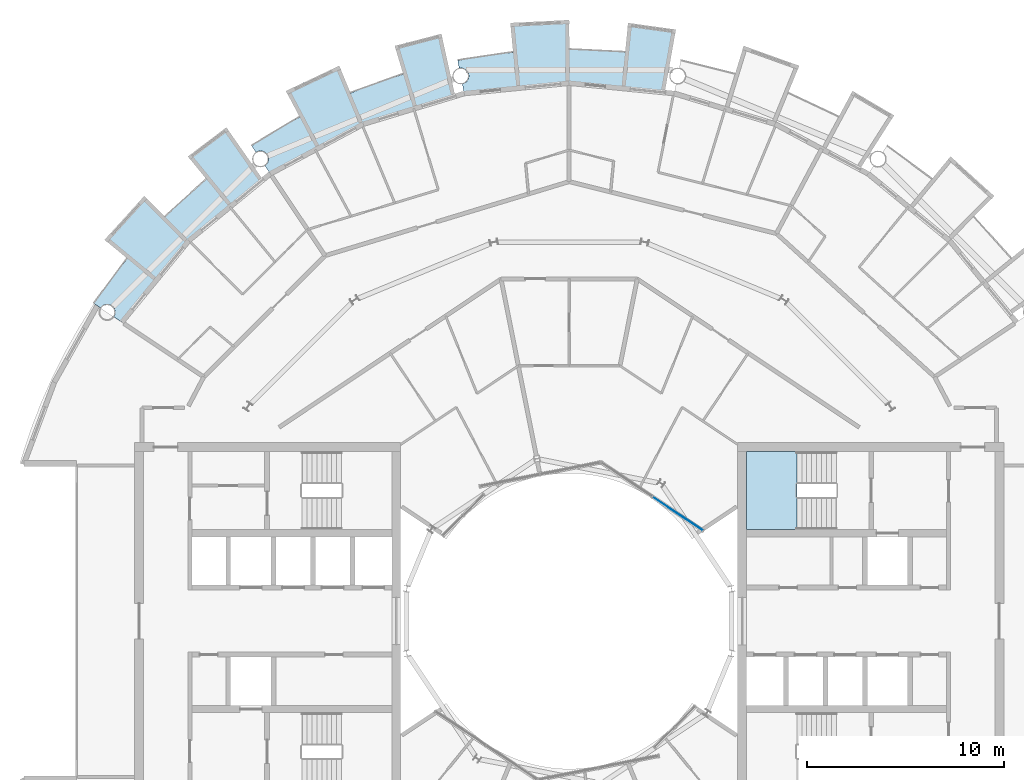
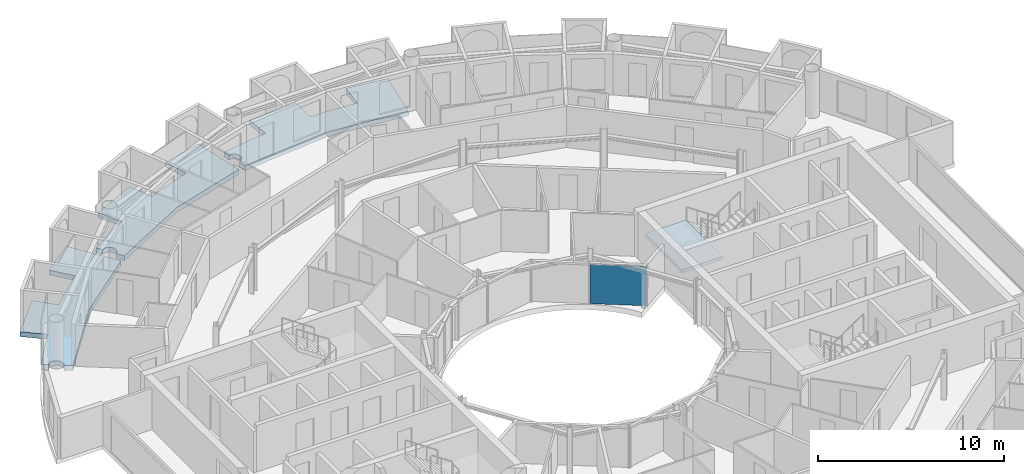
# One storey, part 13 of 27: 4 slabs, 1 plate, 2 elements without a shape of their own.
"""IFC4 building model written with IfcOpenShell, lengths in metres."""

import ifcopenshell
import ifcopenshell.guid

model = None  # the IFC model being written
_history = None  # IfcOwnerHistory: only IFC2X3 demands one
_inside = {}  # id of a spatial element -> (the spatial element, [elements in it])
_under = {}  # id of a project, library or spatial element -> (it, [spatial elements below it])
_declared = {}  # id of a project -> (the project, [libraries it declares])
_typed = {}  # id of a type object -> (the type object, [elements of that type])
_made_of = {}  # id of a material, layer set ... -> (it, [elements and type objects made of it])


def new_model(schema):
    """Start an empty IFC model of exactly this schema.

    Asked for "IFC4X3", IfcOpenShell would pick the latest addendum, in which some entities
    have other attributes; the version numbers below select the first issue.
    IFC2X3 requires an IfcOwnerHistory on every rooted entity: one is made here for all.
    """
    global model, _history
    if schema == "IFC4X3":
        model = ifcopenshell.file(schema_version=(4, 3, 0, 0))
    else:
        model = ifcopenshell.file(schema=schema)
    _inside.clear()
    _under.clear()
    _declared.clear()
    _typed.clear()
    _made_of.clear()
    _history = None
    if model.schema == "IFC2X3":
        org = make("IfcOrganization", Name="unknown")
        user = make(
            "IfcPersonAndOrganization",
            ThePerson=make("IfcPerson", FamilyName="unknown"),
            TheOrganization=org,
        )
        app = make(
            "IfcApplication",
            ApplicationDeveloper=org,
            Version="unknown",
            ApplicationFullName="unknown",
            ApplicationIdentifier="unknown",
        )
        _history = make(
            "IfcOwnerHistory",
            OwningUser=user,
            OwningApplication=app,
            ChangeAction="ADDED",
            CreationDate=0,
        )
    return model


def make(cls, **values):
    """One entity of the class cls with the attributes given. An attribute that is None is left unset."""
    return model.create_entity(
        cls, **{name: value for name, value in values.items() if value is not None}
    )


def rooted(cls, **values):
    """An entity with a GlobalId (a new one), such as an element, a storey or a relation."""
    return make(cls, GlobalId=ifcopenshell.guid.new(), OwnerHistory=_history, **values)


def si_unit(unit_type, name, prefix=None):
    """IfcSIUnit, for example si_unit("LENGTHUNIT", "METRE", prefix="MILLI")."""
    return make("IfcSIUnit", UnitType=unit_type, Prefix=prefix, Name=name)


def assignment(units):
    """IfcUnitAssignment: the units of a project."""
    return None if units is None else make("IfcUnitAssignment", Units=units)


def point(xyz):
    """IfcCartesianPoint."""
    return None if xyz is None else make("IfcCartesianPoint", Coordinates=xyz)


def direction(xyz):
    """IfcDirection."""
    return None if xyz is None else make("IfcDirection", DirectionRatios=xyz)


def frame(location, z_axis=None, x_axis=None):
    """IfcAxis2Placement3D, a coordinate frame: its origin and axes. An axis left out is left unset."""
    return make(
        "IfcAxis2Placement3D",
        Location=point(location),
        Axis=direction(z_axis),
        RefDirection=direction(x_axis),
    )


def frame_2d(location, x_axis=None):
    """IfcAxis2Placement2D, a coordinate frame in the plane: its origin and x axis."""
    return make(
        "IfcAxis2Placement2D", Location=point(location), RefDirection=direction(x_axis)
    )


def origin():
    """The frame at (0, 0, 0) with its axes left unset."""
    return frame((0.0, 0.0, 0.0))


def origin_2d():
    """The frame at (0, 0) in the plane with its x axis left unset."""
    return frame_2d((0.0, 0.0))


def place(relative_to, where):
    """IfcLocalPlacement: puts the frame where relative to a parent placement (None: the world)."""
    return make(
        "IfcLocalPlacement", PlacementRelTo=relative_to, RelativePlacement=where
    )


def context(
    kind, dimensions, precision=None, world=None, true_north=None, identifier=None
):
    """IfcGeometricRepresentationContext, for example the 3D "Model" context."""
    return make(
        "IfcGeometricRepresentationContext",
        ContextIdentifier=identifier,
        ContextType=kind,
        CoordinateSpaceDimension=dimensions,
        Precision=precision,
        WorldCoordinateSystem=world,
        TrueNorth=true_north,
    )


def subcontext(parent, identifier, kind, view, scale=None):
    """IfcGeometricRepresentationSubContext, for example "Body" below "Model"."""
    return make(
        "IfcGeometricRepresentationSubContext",
        ContextIdentifier=identifier,
        ContextType=kind,
        ParentContext=parent,
        TargetScale=scale,
        TargetView=view,
    )


def project(units=None, contexts=None):
    """IfcProject with its units and contexts."""
    return rooted(
        "IfcProject",
        Name="project",
        RepresentationContexts=contexts,
        UnitsInContext=assignment(units),
    )


def spatial(cls, under=None, at=None, **own):
    """A site, building, storey or space (cls), placed at a placement, below another one or the project."""
    s = rooted(cls, ObjectPlacement=at, **own)
    if under is not None:
        _under.setdefault(under.id(), (under, []))[1].append(s)
    return s


def polyline(points):
    """IfcPolyline through the points."""
    return make("IfcPolyline", Points=[point(p) for p in points])


def profile(cls, at=None, kind="AREA", **sizes):
    """A parametric profile (cls). Its sizes go by their IFC names, for example OverallWidth=200.0."""
    return make(cls, ProfileType=kind, Position=at, **sizes)


def rectangle(**sizes):
    """IfcRectangleProfileDef."""
    return profile("IfcRectangleProfileDef", **sizes)


def outline(outer, holes=None, kind="AREA"):
    """IfcArbitraryClosedProfileDef: a profile drawn as a closed curve; with holes, ...WithVoids."""
    if holes is None:
        return make("IfcArbitraryClosedProfileDef", ProfileType=kind, OuterCurve=outer)
    return make(
        "IfcArbitraryProfileDefWithVoids",
        ProfileType=kind,
        OuterCurve=outer,
        InnerCurves=holes,
    )


def extrude(swept, where, along, depth):
    """IfcExtrudedAreaSolid: the profile swept, set in the frame where, extruded along a direction by depth."""
    return make(
        "IfcExtrudedAreaSolid",
        SweptArea=swept,
        Position=where,
        ExtrudedDirection=direction(along),
        Depth=depth,
    )


def shape(context_of_items, identifier, shape_type, items):
    """IfcShapeRepresentation: the items that make up one representation, for example the "Body"."""
    return make(
        "IfcShapeRepresentation",
        ContextOfItems=context_of_items,
        RepresentationIdentifier=identifier,
        RepresentationType=shape_type,
        Items=items,
    )


def material(Name=None, Category=None):
    """IfcMaterial."""
    return make("IfcMaterial", Name=Name, Category=Category)


def layer(
    of_material, thickness, ventilated=None, Name=None, Category=None, Priority=None
):
    """IfcMaterialLayer: one layer of a wall or slab, of a material (None: an air gap)."""
    return make(
        "IfcMaterialLayer",
        Material=of_material,
        LayerThickness=thickness,
        IsVentilated=ventilated,
        Name=Name,
        Category=Category,
        Priority=Priority,
    )


def layer_set(layers, Name=None):
    """IfcMaterialLayerSet."""
    return make("IfcMaterialLayerSet", MaterialLayers=layers, LayerSetName=Name)


def made_of(thing, what):
    """Note that an element or type object is made of a material, layer set ...; save() writes the relation."""
    if what is not None:
        _made_of.setdefault(what.id(), (what, []))[1].append(thing)
    return thing


def type_object(cls, material=None, **own):
    """A type object (cls), such as IfcWallType, which elements share."""
    return made_of(rooted(cls, **own), material)


def element(
    cls,
    number,
    at=None,
    inside=None,
    cuts=None,
    type_object=None,
    material=None,
    context=None,
    identifier="Body",
    shape_type=None,
    held_by="IfcProductDefinitionShape",
    body=None,
    shapes=None,
    **own,
):
    """One element of the class cls, such as IfcWall. Its Tag is "e" and its number.

    at: its placement. inside: the storey or other place that contains it. cuts: it is an
    opening in that element (IfcRelVoidsElement). A single representation is given by context,
    identifier, shape_type and body (its items); several are given by shapes. held_by: the class
    of the entity that holds the representations. save() writes the other relations.
    """
    e = rooted(cls, Tag="e%d" % number, ObjectPlacement=at, **own)
    if body is not None:
        shapes = [shape(context, identifier, shape_type, body)]
    if shapes is not None:
        e.Representation = make(held_by, Representations=shapes)
    if inside is not None:
        _inside.setdefault(inside.id(), (inside, []))[1].append(e)
    if cuts is not None:
        rooted(
            "IfcRelVoidsElement", RelatingBuildingElement=cuts, RelatedOpeningElement=e
        )
    if type_object is not None:
        _typed.setdefault(type_object.id(), (type_object, []))[1].append(e)
    return made_of(e, material)


def aggregate(whole, parts):
    """IfcRelAggregates: a whole, such as a stair, and the parts it consists of."""
    return rooted("IfcRelAggregates", RelatingObject=whole, RelatedObjects=parts)


def save(model, path):
    """Write the relations noted so far, then the file.

    IfcRelAggregates (storeys below a building ...), IfcRelContainedInSpatialStructure (elements
    in a storey), IfcRelDefinesByType, IfcRelAssociatesMaterial and IfcRelDeclares: one each for
    every whole, place, type object, material and project.
    """
    for whole, parts in _under.values():
        aggregate(whole, parts)
    for where, things in _inside.values():
        rooted(
            "IfcRelContainedInSpatialStructure",
            RelatedElements=things,
            RelatingStructure=where,
        )
    for kind, things in _typed.values():
        rooted("IfcRelDefinesByType", RelatedObjects=things, RelatingType=kind)
    for what, things in _made_of.values():
        rooted("IfcRelAssociatesMaterial", RelatedObjects=things, RelatingMaterial=what)
    for by, libraries in _declared.values():
        rooted("IfcRelDeclares", RelatingContext=by, RelatedDefinitions=libraries)
    model.write(path)


model = new_model("IFC4")

# Units and contexts
model_context = context("Model", 3, precision=1e-05, world=origin(), true_north=direction((0.0, 1.0)))
body_context = subcontext(model_context, "Body", "Model", "MODEL_VIEW")
ifc_project = project(units=[si_unit("LENGTHUNIT", "METRE"), si_unit("AREAUNIT", "SQUARE_METRE"), si_unit("VOLUMEUNIT", "CUBIC_METRE"), si_unit("PLANEANGLEUNIT", "RADIAN"), si_unit("MASSUNIT", "GRAM", prefix="KILO")], contexts=[model_context])

# Site, building, storey
site_placement = place(None, origin())
site = spatial("IfcSite", under=ifc_project, at=site_placement, CompositionType="ELEMENT")
building_placement = place(site_placement, origin())
building = spatial("IfcBuilding", under=site, at=building_placement, Name="Maasbend Ring Residences", CompositionType="ELEMENT")
storey_placement = place(building_placement, frame((0.0, 0.0, 199.35009765625)))
storey = spatial("IfcBuildingStorey", under=building, at=storey_placement, Name="L57", CompositionType="ELEMENT", Elevation=199.35009765625)

# Stair, slab
ifc_material_1 = material(Name="Concrete C40/50", Category="concrete")
stair_type = type_object("IfcStairType", Name="CORE STAIR 18 RISERS", PredefinedType="HALF_TURN_STAIR", material=ifc_material_1)
stair_placement = place(storey_placement, origin())
stair = element("IfcStair", 1, at=stair_placement, inside=storey, type_object=stair_type, Name="L57 Exit stair ST-E1", PredefinedType="HALF_TURN_STAIR")
ifc_material_2 = material(Name="Concrete C40/50", Category="concrete")
ifc_layer_1 = layer(ifc_material_2, 0.199951171875)
ifc_layer_set_1 = layer_set([ifc_layer_1], Name="Concrete C40/50")
slab_type_1 = type_object("IfcSlabType", Name="CORE STAIR LANDING 200", PredefinedType="LANDING", material=ifc_layer_set_1)
slab_1_placement = place(storey_placement, frame((0.0, 0.0, 1.324951171875)))
slab_1 = element("IfcSlab", 2, at=slab_1_placement, type_object=slab_type_1, Name="ST-E1 landing 1", PredefinedType="LANDING", context=body_context, shape_type="SweptSolid", body=[
    extrude(outline(polyline([(11.550048828125, 8.60009765625), (9.0, 8.60009765625), (9.0, 4.64990234375), (11.550048828125, 4.64990234375), (11.550048828125, 8.60009765625)])), origin(), (0.0, 0.0, 1.0), 0.199951171875),
])
aggregate(stair, [slab_1])

# Curtain wall, plate
ifc_material_3 = material(Name="Aluminium and clear glass", Category="aluminium")
ifc_layer_2 = layer(ifc_material_3, 0.179931640625)
ifc_layer_set_2 = layer_set([ifc_layer_2], Name="CW-W")
curtain_wall_type = type_object("IfcCurtainWallType", Name="CW-W", PredefinedType="NOTDEFINED", material=ifc_layer_set_2)
curtain_wall_placement = place(storey_placement, origin())
curtain_wall = element("IfcCurtainWall", 3, at=curtain_wall_placement, inside=storey, type_object=curtain_wall_type, Name="Well curtain wall N1", PredefinedType="NOTDEFINED")
ifc_material_4 = material(Name="Glass clear laminated", Category="glass")
ifc_layer_3 = layer(ifc_material_4, 0.031982421875)
ifc_layer_set_3 = layer_set([ifc_layer_3], Name="CWP-W")
plate_type = type_object("IfcPlateType", Name="CWP-W", PredefinedType="CURTAIN_PANEL", material=ifc_layer_set_3)
plate_placement = place(storey_placement, frame((5.51123046875, 5.44580078125, -0.000244140625), z_axis=(0.0, 0.0, 1.0), x_axis=(-0.831469612303, 0.55557023302, 0.0)))
plate = element("IfcPlate", 4, at=plate_placement, type_object=plate_type, Name="Glass panel well face", PredefinedType="CURTAIN_PANEL", context=body_context, shape_type="SweptSolid", body=[
    extrude(rectangle(XDim=3.053955078125, YDim=0.031982421875, at=origin_2d()), origin(), (0.0, 0.0, 1.0), 2.580078125),
])
aggregate(curtain_wall, [plate])

# Slabs
ifc_material_5 = material(Name="Concrete C40/50", Category="concrete")
ifc_layer_4 = layer(ifc_material_5, 0.199951171875)
ifc_layer_set_4 = layer_set([ifc_layer_4], Name="Concrete C40/50")
slab_type_2 = type_object("IfcSlabType", Name="SL-LOGGIA", PredefinedType="FLOOR", material=ifc_layer_set_4)
slab_2_placement = place(storey_placement, frame((0.0, 0.0, -0.35009765625)))
element("IfcSlab", 5, at=slab_2_placement, inside=storey, type_object=slab_type_2, Name="Loggia floor 1", PredefinedType="FLOOR", context=body_context, shape_type="SweptSolid", body=[
    extrude(outline(polyline([(-14.5, 25.114990234375), (-13.6708984375, 25.574951171875), (-13.6708984375, 25.575927734375), (-13.6708984375, 25.575927734375), (-13.6708984375, 25.575927734375), (-13.6708984375, 25.575927734375), (-13.6708984375, 25.575927734375), (-13.6708984375, 25.575927734375), (-13.6708984375, 25.575927734375), (-13.6708984375, 25.575927734375), (-13.6708984375, 25.575927734375), (-13.6708984375, 25.575927734375), (-13.6708984375, 25.575927734375), (-13.6708984375, 25.575927734375), (-13.6708984375, 25.575927734375), (-13.6708984375, 25.575927734375), (-13.6708984375, 25.575927734375), (-13.6708984375, 25.575927734375), (-14.3779296875, 26.89892578125), (-14.3779296875, 26.89892578125), (-14.3779296875, 26.89892578125), (-11.672119140625, 28.177978515625), (-11.672119140625, 28.177978515625), (-11.672119140625, 28.177978515625), (-11.097900390625, 26.79296875), (-11.097900390625, 26.79296875), (-11.097900390625, 26.79296875), (-11.097900390625, 26.79296875), (-11.097900390625, 26.79296875), (-11.097900390625, 26.79296875), (-11.097900390625, 26.79296875), (-11.097900390625, 26.79296875), (-11.097900390625, 26.79296875), (-11.097900390625, 26.79296875), (-11.097900390625, 26.79296875), (-11.097900390625, 26.79296875), (-11.097900390625, 26.79296875), (-11.097900390625, 26.79296875), (-11.096923828125, 26.79296875), (-11.096923828125, 26.79296875), (-11.096923828125, 26.79296875), (-10.215087890625, 27.14111328125), (-10.215087890625, 27.14111328125), (-9.322021484375, 27.4609375), (-9.322021484375, 27.4609375), (-8.4189453125, 27.7509765625), (-8.4189453125, 27.7509765625), (-8.4189453125, 27.7509765625), (-8.4189453125, 27.7509765625), (-8.4189453125, 27.7509765625), (-8.4189453125, 27.7509765625), (-8.41796875, 27.7509765625), (-8.41796875, 27.7509765625), (-8.41796875, 27.7509765625), (-8.41796875, 27.7509765625), (-8.41796875, 27.7509765625), (-8.41796875, 27.751953125), (-8.41796875, 27.751953125), (-8.41796875, 27.751953125), (-8.41796875, 27.751953125), (-8.41796875, 27.751953125), (-8.41796875, 27.751953125), (-8.85400390625, 29.18701171875), (-8.85400390625, 29.18701171875), (-8.85400390625, 29.18701171875), (-6.487060546875, 29.802001953125), (-6.487060546875, 29.802001953125), (-6.487060546875, 29.802001953125), (-5.797119140625, 26.633056640625), (-5.797119140625, 26.633056640625), (-5.797119140625, 26.633056640625), (-7.886962890625, 25.9990234375), (-10.447021484375, 25.221923828125), (-10.447021484375, 25.221923828125), (-10.447021484375, 25.221923828125), (-12.806884765625, 23.9609375), (-15.1669921875, 22.698974609375), (-15.1669921875, 22.698974609375), (-15.1669921875, 22.698974609375), (-15.44091796875, 23.10888671875), (-15.43310546875, 23.114990234375), (-15.425048828125, 23.12109375), (-15.4169921875, 23.126953125), (-15.408935546875, 23.133056640625), (-15.402099609375, 23.139892578125), (-15.39404296875, 23.14599609375), (-15.386962890625, 23.153076171875), (-15.3798828125, 23.159912109375), (-15.373046875, 23.1669921875), (-15.365966796875, 23.174072265625), (-15.35888671875, 23.181884765625), (-15.35302734375, 23.18994140625), (-15.346923828125, 23.197021484375), (-15.341064453125, 23.205078125), (-15.3349609375, 23.212890625), (-15.3291015625, 23.221923828125), (-15.323974609375, 23.22998046875), (-15.318115234375, 23.238037109375), (-15.31298828125, 23.2470703125), (-15.30908203125, 23.256103515625), (-15.303955078125, 23.264892578125), (-15.300048828125, 23.27392578125), (-15.294921875, 23.282958984375), (-15.2919921875, 23.2919921875), (-15.2880859375, 23.301025390625), (-15.283935546875, 23.31005859375), (-15.281005859375, 23.320068359375), (-15.278076171875, 23.3291015625), (-15.27490234375, 23.339111328125), (-15.27294921875, 23.34912109375), (-15.27001953125, 23.35791015625), (-15.26806640625, 23.367919921875), (-15.26708984375, 23.3779296875), (-15.264892578125, 23.387939453125), (-15.263916015625, 23.39794921875), (-15.262939453125, 23.407958984375), (-15.261962890625, 23.4169921875), (-15.260986328125, 23.427001953125), (-15.260986328125, 23.43701171875), (-15.260986328125, 23.447021484375), (-15.260986328125, 23.45703125), (-15.260986328125, 23.467041015625), (-15.261962890625, 23.47705078125), (-15.262939453125, 23.487060546875), (-15.263916015625, 23.4970703125), (-15.264892578125, 23.507080078125), (-15.26708984375, 23.51708984375), (-15.26806640625, 23.527099609375), (-15.27001953125, 23.535888671875), (-15.27294921875, 23.5458984375), (-15.27490234375, 23.555908203125), (-15.278076171875, 23.56494140625), (-15.281005859375, 23.574951171875), (-15.283935546875, 23.583984375), (-15.2880859375, 23.593994140625), (-15.2919921875, 23.60302734375), (-15.294921875, 23.612060546875), (-15.300048828125, 23.62109375), (-15.303955078125, 23.6298828125), (-15.30908203125, 23.638916015625), (-15.31298828125, 23.64794921875), (-15.318115234375, 23.656005859375), (-15.323974609375, 23.6650390625), (-15.3291015625, 23.673095703125), (-15.3349609375, 23.680908203125), (-15.341064453125, 23.68994140625), (-15.346923828125, 23.697021484375), (-15.35302734375, 23.705078125), (-15.35888671875, 23.712890625), (-15.365966796875, 23.719970703125), (-15.373046875, 23.72802734375), (-15.3798828125, 23.735107421875), (-15.386962890625, 23.741943359375), (-15.39404296875, 23.7490234375), (-15.402099609375, 23.7548828125), (-15.408935546875, 23.761962890625), (-15.4169921875, 23.76806640625), (-15.425048828125, 23.77392578125), (-15.43310546875, 23.780029296875), (-15.44091796875, 23.784912109375), (-15.449951171875, 23.791015625), (-15.4580078125, 23.7958984375), (-15.467041015625, 23.801025390625), (-15.47509765625, 23.805908203125), (-15.48388671875, 23.81005859375), (-15.492919921875, 23.81494140625), (-15.501953125, 23.819091796875), (-15.511962890625, 23.822998046875), (-15.52099609375, 23.826904296875), (-15.530029296875, 23.830078125), (-15.5400390625, 23.8330078125), (-15.549072265625, 23.8359375), (-15.55908203125, 23.839111328125), (-15.568115234375, 23.842041015625), (-15.577880859375, 23.843994140625), (-15.587890625, 23.845947265625), (-15.597900390625, 23.847900390625), (-15.60693359375, 23.85009765625), (-15.616943359375, 23.85107421875), (-15.626953125, 23.85205078125), (-15.636962890625, 23.85302734375), (-15.64697265625, 23.85302734375), (-15.656982421875, 23.85400390625), (-15.6669921875, 23.85400390625), (-15.677001953125, 23.85400390625), (-15.68701171875, 23.85302734375), (-15.697021484375, 23.85302734375), (-15.70703125, 23.85205078125), (-15.717041015625, 23.85107421875), (-15.72705078125, 23.85009765625), (-15.737060546875, 23.847900390625), (-15.74609375, 23.845947265625), (-15.756103515625, 23.843994140625), (-15.76611328125, 23.842041015625), (-15.77587890625, 23.839111328125), (-15.784912109375, 23.8359375), (-15.794921875, 23.8330078125), (-15.803955078125, 23.830078125), (-15.81298828125, 23.826904296875), (-15.822998046875, 23.822998046875), (-15.83203125, 23.819091796875), (-15.841064453125, 23.81494140625), (-15.85009765625, 23.81005859375), (-15.85888671875, 23.805908203125), (-15.866943359375, 23.801025390625), (-15.8759765625, 23.7958984375), (-15.885009765625, 23.791015625), (-15.89306640625, 23.784912109375), (-16.112060546875, 24.113037109375), (-16.112060546875, 24.113037109375), (-16.112060546875, 24.113037109375), (-15.31396484375, 24.626953125), (-15.31396484375, 24.626953125), (-14.5, 25.114990234375), (-14.5, 25.114990234375)])), origin(), (0.0, 0.0, 1.0), 0.320068359375),
])
slab_3_placement = place(storey_placement, frame((0.0, 0.0, -0.35009765625)))
element("IfcSlab", 6, at=slab_3_placement, inside=storey, type_object=slab_type_2, Name="Loggia floor 3", PredefinedType="FLOOR", context=body_context, shape_type="SweptSolid", body=[
    extrude(outline(polyline([(-3.784912109375, 28.751953125), (-2.843017578125, 28.860107421875), (-2.843017578125, 28.860107421875), (-2.843017578125, 28.860107421875), (-2.843017578125, 28.860107421875), (-2.843017578125, 28.860107421875), (-2.843017578125, 28.860107421875), (-2.843017578125, 28.860107421875), (-2.843017578125, 28.860107421875), (-2.843017578125, 28.860107421875), (-2.843017578125, 28.861083984375), (-2.843017578125, 28.861083984375), (-2.843017578125, 28.861083984375), (-2.843017578125, 28.861083984375), (-2.843017578125, 28.861083984375), (-2.843017578125, 28.861083984375), (-2.843017578125, 28.861083984375), (-2.843017578125, 28.861083984375), (-2.989990234375, 30.35302734375), (-2.989990234375, 30.35302734375), (-2.989990234375, 30.35302734375), (0.0, 30.5), (0.0, 30.5), (0.0, 30.5), (0.0, 29.0), (0.0, 29.0), (0.0, 29.0), (0.0, 29.0), (0.0, 29.0), (0.0, 29.0), (0.0, 29.0), (0.0, 29.0), (0.0, 29.0), (0.0, 29.0), (0.0, 29.0), (0.0, 29.0), (0.0, 29.0), (0.0, 29.0), (0.0, 29.0), (0.0, 29.0), (0.0, 29.0), (0.948974609375, 28.98388671875), (0.948974609375, 28.98388671875), (1.89697265625, 28.93798828125), (1.89697265625, 28.93798828125), (2.842041015625, 28.860107421875), (2.842041015625, 28.860107421875), (2.842041015625, 28.860107421875), (2.842041015625, 28.860107421875), (2.842041015625, 28.860107421875), (2.842041015625, 28.860107421875), (2.842041015625, 28.860107421875), (2.842041015625, 28.860107421875), (2.842041015625, 28.861083984375), (2.842041015625, 28.861083984375), (2.842041015625, 28.861083984375), (2.842041015625, 28.861083984375), (2.842041015625, 28.861083984375), (2.843017578125, 28.861083984375), (2.843017578125, 28.861083984375), (2.843017578125, 28.861083984375), (2.843017578125, 28.861083984375), (2.989990234375, 30.35302734375), (2.989990234375, 30.35302734375), (2.989990234375, 30.35302734375), (5.412109375, 30.01611328125), (5.412109375, 30.01611328125), (5.412109375, 30.01611328125), (4.8359375, 26.823974609375), (4.8359375, 26.823974609375), (4.8359375, 26.823974609375), (2.6630859375, 27.0380859375), (0.0, 27.300048828125), (0.0, 27.300048828125), (0.0, 27.300048828125), (-2.6630859375, 27.0380859375), (-5.325927734375, 26.77490234375), (-5.325927734375, 26.77490234375), (-5.325927734375, 26.77490234375), (-5.422119140625, 27.259033203125), (-5.422119140625, 27.259033203125), (-5.412109375, 27.260986328125), (-5.403076171875, 27.263916015625), (-5.39306640625, 27.26611328125), (-5.383056640625, 27.26904296875), (-5.3740234375, 27.27197265625), (-5.364990234375, 27.27490234375), (-5.35498046875, 27.279052734375), (-5.345947265625, 27.282958984375), (-5.3369140625, 27.285888671875), (-5.327880859375, 27.291015625), (-5.319091796875, 27.294921875), (-5.31005859375, 27.300048828125), (-5.301025390625, 27.303955078125), (-5.29296875, 27.30908203125), (-5.283935546875, 27.31494140625), (-5.27587890625, 27.320068359375), (-5.26708984375, 27.325927734375), (-5.259033203125, 27.33203125), (-5.2509765625, 27.337890625), (-5.243896484375, 27.343994140625), (-5.236083984375, 27.35009765625), (-5.22900390625, 27.35693359375), (-5.220947265625, 27.364013671875), (-5.214111328125, 27.37109375), (-5.20703125, 27.3779296875), (-5.199951171875, 27.385009765625), (-5.194091796875, 27.39306640625), (-5.18701171875, 27.39990234375), (-5.180908203125, 27.407958984375), (-5.175048828125, 27.416015625), (-5.1689453125, 27.424072265625), (-5.1640625, 27.431884765625), (-5.157958984375, 27.44091796875), (-5.153076171875, 27.448974609375), (-5.14794921875, 27.4580078125), (-5.14306640625, 27.466064453125), (-5.137939453125, 27.47509765625), (-5.134033203125, 27.48388671875), (-5.1298828125, 27.492919921875), (-5.1259765625, 27.5029296875), (-5.1220703125, 27.511962890625), (-5.118896484375, 27.52099609375), (-5.115966796875, 27.531005859375), (-5.113037109375, 27.5400390625), (-5.110107421875, 27.550048828125), (-5.10693359375, 27.55908203125), (-5.10498046875, 27.569091796875), (-5.10302734375, 27.5791015625), (-5.10107421875, 27.589111328125), (-5.09912109375, 27.597900390625), (-5.097900390625, 27.60791015625), (-5.096923828125, 27.617919921875), (-5.095947265625, 27.6279296875), (-5.094970703125, 27.637939453125), (-5.094970703125, 27.64794921875), (-5.094970703125, 27.657958984375), (-5.094970703125, 27.66796875), (-5.094970703125, 27.677978515625), (-5.095947265625, 27.68798828125), (-5.096923828125, 27.697998046875), (-5.097900390625, 27.7080078125), (-5.09912109375, 27.718017578125), (-5.10107421875, 27.72802734375), (-5.10302734375, 27.737060546875), (-5.10498046875, 27.7470703125), (-5.10693359375, 27.757080078125), (-5.110107421875, 27.76708984375), (-5.113037109375, 27.77587890625), (-5.115966796875, 27.785888671875), (-5.118896484375, 27.794921875), (-5.1220703125, 27.803955078125), (-5.1259765625, 27.81396484375), (-5.1298828125, 27.822998046875), (-5.134033203125, 27.83203125), (-5.137939453125, 27.841064453125), (-5.14306640625, 27.85009765625), (-5.14794921875, 27.85791015625), (-5.153076171875, 27.866943359375), (-5.157958984375, 27.8759765625), (-5.1640625, 27.884033203125), (-5.1689453125, 27.89208984375), (-5.175048828125, 27.89990234375), (-5.180908203125, 27.907958984375), (-5.18701171875, 27.916015625), (-5.194091796875, 27.924072265625), (-5.199951171875, 27.930908203125), (-5.20703125, 27.93798828125), (-5.214111328125, 27.946044921875), (-5.220947265625, 27.952880859375), (-5.22900390625, 27.958984375), (-5.236083984375, 27.966064453125), (-5.243896484375, 27.971923828125), (-5.2509765625, 27.97900390625), (-5.259033203125, 27.985107421875), (-5.26708984375, 27.989990234375), (-5.27587890625, 27.99609375), (-5.283935546875, 28.001953125), (-5.29296875, 28.007080078125), (-5.301025390625, 28.011962890625), (-5.31005859375, 28.01708984375), (-5.319091796875, 28.02099609375), (-5.327880859375, 28.02587890625), (-5.3369140625, 28.030029296875), (-5.345947265625, 28.033935546875), (-5.35498046875, 28.037109375), (-5.364990234375, 28.041015625), (-5.3740234375, 28.0439453125), (-5.383056640625, 28.047119140625), (-5.39306640625, 28.050048828125), (-5.403076171875, 28.052001953125), (-5.412109375, 28.054931640625), (-5.422119140625, 28.056884765625), (-5.431884765625, 28.05908203125), (-5.44189453125, 28.06005859375), (-5.451904296875, 28.06201171875), (-5.4619140625, 28.06298828125), (-5.471923828125, 28.06298828125), (-5.48193359375, 28.06396484375), (-5.491943359375, 28.06396484375), (-5.501953125, 28.06494140625), (-5.510986328125, 28.06396484375), (-5.52099609375, 28.06396484375), (-5.531005859375, 28.06298828125), (-5.541015625, 28.06298828125), (-5.551025390625, 28.06201171875), (-5.56103515625, 28.06005859375), (-5.571044921875, 28.05908203125), (-5.5810546875, 28.056884765625), (-5.5810546875, 28.056884765625), (-5.657958984375, 28.443115234375), (-5.657958984375, 28.443115234375), (-5.657958984375, 28.443115234375), (-4.72412109375, 28.613037109375), (-4.72412109375, 28.613037109375), (-3.784912109375, 28.751953125), (-3.784912109375, 28.751953125)])), origin(), (0.0, 0.0, 1.0), 0.320068359375),
])
slab_4_placement = place(storey_placement, frame((0.0, 0.0, -0.35009765625)))
element("IfcSlab", 7, at=slab_4_placement, inside=storey, type_object=slab_type_2, Name="Loggia floor 4", PredefinedType="FLOOR", context=body_context, shape_type="SweptSolid", body=[
    extrude(outline(polyline([(-23.007080078125, 17.654052734375), (-22.41796875, 18.39697265625), (-22.41796875, 18.39697265625), (-22.41796875, 18.39697265625), (-22.41796875, 18.39697265625), (-22.41796875, 18.39697265625), (-22.41796875, 18.39697265625), (-22.41796875, 18.39697265625), (-22.41796875, 18.39697265625), (-22.41796875, 18.39697265625), (-22.41796875, 18.39697265625), (-22.41796875, 18.39697265625), (-22.41796875, 18.39794921875), (-22.41796875, 18.39794921875), (-22.41796875, 18.39794921875), (-22.41796875, 18.39794921875), (-22.41796875, 18.39794921875), (-22.41796875, 18.39794921875), (-23.576904296875, 19.34912109375), (-23.576904296875, 19.34912109375), (-23.576904296875, 19.34912109375), (-21.56689453125, 21.56689453125), (-21.56689453125, 21.56689453125), (-21.56689453125, 21.56689453125), (-20.506103515625, 20.506103515625), (-20.506103515625, 20.506103515625), (-20.506103515625, 20.506103515625), (-20.506103515625, 20.506103515625), (-20.506103515625, 20.506103515625), (-20.506103515625, 20.506103515625), (-20.506103515625, 20.506103515625), (-20.506103515625, 20.506103515625), (-20.506103515625, 20.506103515625), (-20.506103515625, 20.506103515625), (-20.506103515625, 20.506103515625), (-20.506103515625, 20.506103515625), (-20.506103515625, 20.506103515625), (-20.506103515625, 20.506103515625), (-20.506103515625, 20.506103515625), (-20.506103515625, 20.506103515625), (-20.506103515625, 20.506103515625), (-19.823974609375, 21.166015625), (-19.823974609375, 21.166015625), (-19.12109375, 21.802978515625), (-19.12109375, 21.802978515625), (-18.39794921875, 22.4169921875), (-18.39794921875, 22.4169921875), (-18.39794921875, 22.4169921875), (-18.39794921875, 22.4169921875), (-18.39794921875, 22.4169921875), (-18.39794921875, 22.4169921875), (-18.39794921875, 22.4169921875), (-18.39794921875, 22.4169921875), (-18.39794921875, 22.4169921875), (-18.39794921875, 22.4169921875), (-18.39794921875, 22.4169921875), (-18.39794921875, 22.4169921875), (-18.39794921875, 22.41796875), (-18.39794921875, 22.41796875), (-18.39794921875, 22.41796875), (-18.39794921875, 22.41796875), (-18.39794921875, 22.41796875), (-19.34912109375, 23.576904296875), (-19.34912109375, 23.576904296875), (-19.34912109375, 23.576904296875), (-17.39794921875, 25.051025390625), (-17.39794921875, 25.051025390625), (-17.39794921875, 25.051025390625), (-15.547119140625, 22.386962890625), (-15.547119140625, 22.386962890625), (-15.547119140625, 22.386962890625), (-17.236083984375, 21.001953125), (-19.303955078125, 19.303955078125), (-19.303955078125, 19.303955078125), (-19.303955078125, 19.303955078125), (-21.001953125, 17.236083984375), (-22.698974609375, 15.1669921875), (-22.698974609375, 15.1669921875), (-22.698974609375, 15.1669921875), (-23.10888671875, 15.44091796875), (-23.10888671875, 15.44091796875), (-23.10400390625, 15.449951171875), (-23.09912109375, 15.4580078125), (-23.093994140625, 15.467041015625), (-23.089111328125, 15.47509765625), (-23.083984375, 15.48388671875), (-23.080078125, 15.492919921875), (-23.075927734375, 15.501953125), (-23.072021484375, 15.511962890625), (-23.068115234375, 15.52099609375), (-23.06494140625, 15.530029296875), (-23.06103515625, 15.5400390625), (-23.05810546875, 15.549072265625), (-23.055908203125, 15.55908203125), (-23.052978515625, 15.568115234375), (-23.051025390625, 15.577880859375), (-23.049072265625, 15.587890625), (-23.047119140625, 15.597900390625), (-23.044921875, 15.60693359375), (-23.0439453125, 15.616943359375), (-23.04296875, 15.626953125), (-23.0419921875, 15.636962890625), (-23.041015625, 15.64697265625), (-23.041015625, 15.656982421875), (-23.041015625, 15.6669921875), (-23.041015625, 15.677001953125), (-23.041015625, 15.68701171875), (-23.0419921875, 15.697021484375), (-23.04296875, 15.70703125), (-23.0439453125, 15.717041015625), (-23.044921875, 15.72705078125), (-23.047119140625, 15.737060546875), (-23.049072265625, 15.74609375), (-23.051025390625, 15.756103515625), (-23.052978515625, 15.76611328125), (-23.055908203125, 15.77587890625), (-23.05810546875, 15.784912109375), (-23.06103515625, 15.794921875), (-23.06494140625, 15.803955078125), (-23.068115234375, 15.81298828125), (-23.072021484375, 15.822998046875), (-23.075927734375, 15.83203125), (-23.080078125, 15.841064453125), (-23.083984375, 15.85009765625), (-23.089111328125, 15.85888671875), (-23.093994140625, 15.866943359375), (-23.09912109375, 15.8759765625), (-23.10400390625, 15.885009765625), (-23.10888671875, 15.89306640625), (-23.114990234375, 15.90087890625), (-23.12109375, 15.908935546875), (-23.126953125, 15.9169921875), (-23.133056640625, 15.925048828125), (-23.139892578125, 15.93310546875), (-23.14599609375, 15.93994140625), (-23.153076171875, 15.947021484375), (-23.159912109375, 15.955078125), (-23.1669921875, 15.9619140625), (-23.174072265625, 15.968017578125), (-23.181884765625, 15.97509765625), (-23.18994140625, 15.98095703125), (-23.197021484375, 15.988037109375), (-23.205078125, 15.993896484375), (-23.212890625, 15.9990234375), (-23.221923828125, 16.0048828125), (-23.22998046875, 16.010986328125), (-23.238037109375, 16.01611328125), (-23.2470703125, 16.02099609375), (-23.256103515625, 16.02587890625), (-23.264892578125, 16.030029296875), (-23.27392578125, 16.034912109375), (-23.282958984375, 16.0390625), (-23.2919921875, 16.04296875), (-23.301025390625, 16.0458984375), (-23.31005859375, 16.050048828125), (-23.320068359375, 16.052978515625), (-23.3291015625, 16.055908203125), (-23.339111328125, 16.05908203125), (-23.34912109375, 16.06103515625), (-23.35791015625, 16.06396484375), (-23.367919921875, 16.06591796875), (-23.3779296875, 16.068115234375), (-23.387939453125, 16.069091796875), (-23.39794921875, 16.071044921875), (-23.407958984375, 16.072021484375), (-23.4169921875, 16.072021484375), (-23.427001953125, 16.072998046875), (-23.43701171875, 16.072998046875), (-23.447021484375, 16.073974609375), (-23.45703125, 16.072998046875), (-23.467041015625, 16.072998046875), (-23.47705078125, 16.072021484375), (-23.487060546875, 16.072021484375), (-23.4970703125, 16.071044921875), (-23.507080078125, 16.069091796875), (-23.51708984375, 16.068115234375), (-23.527099609375, 16.06591796875), (-23.535888671875, 16.06396484375), (-23.5458984375, 16.06103515625), (-23.555908203125, 16.05908203125), (-23.56494140625, 16.055908203125), (-23.574951171875, 16.052978515625), (-23.583984375, 16.050048828125), (-23.593994140625, 16.0458984375), (-23.60302734375, 16.04296875), (-23.612060546875, 16.0390625), (-23.62109375, 16.034912109375), (-23.6298828125, 16.030029296875), (-23.638916015625, 16.02587890625), (-23.64794921875, 16.02099609375), (-23.656005859375, 16.01611328125), (-23.6650390625, 16.010986328125), (-23.673095703125, 16.0048828125), (-23.680908203125, 15.9990234375), (-23.68994140625, 15.993896484375), (-23.697021484375, 15.988037109375), (-23.705078125, 15.98095703125), (-23.712890625, 15.97509765625), (-23.719970703125, 15.968017578125), (-23.72802734375, 15.9619140625), (-23.735107421875, 15.955078125), (-23.741943359375, 15.947021484375), (-23.7490234375, 15.93994140625), (-23.7548828125, 15.93310546875), (-23.761962890625, 15.925048828125), (-23.76806640625, 15.9169921875), (-23.77392578125, 15.908935546875), (-23.780029296875, 15.90087890625), (-23.784912109375, 15.89306640625), (-23.784912109375, 15.89306640625), (-24.113037109375, 16.112060546875), (-24.113037109375, 16.112060546875), (-24.113037109375, 16.112060546875), (-23.572998046875, 16.89208984375), (-23.572998046875, 16.89208984375), (-23.007080078125, 17.654052734375), (-23.007080078125, 17.654052734375)])), origin(), (0.0, 0.0, 1.0), 0.320068359375),
])

save(model, "model.ifc")
